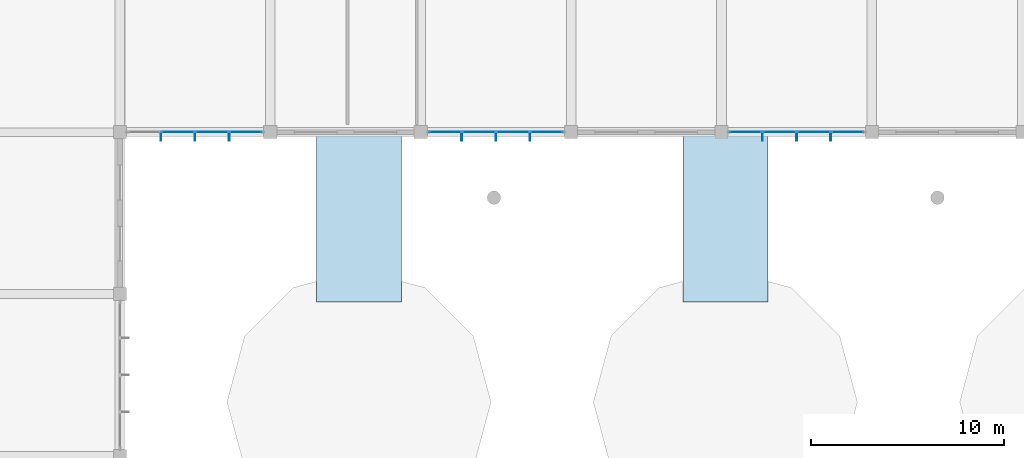
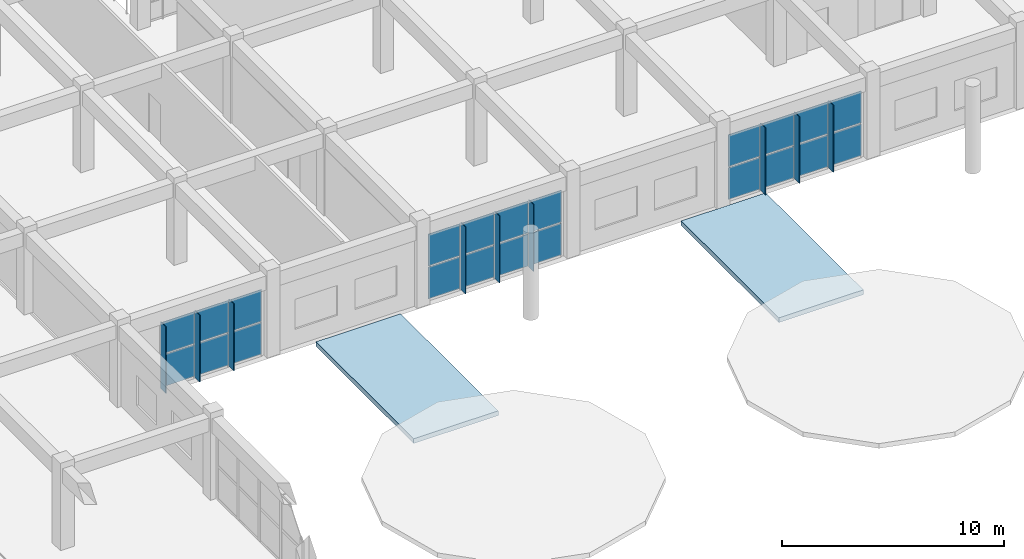
# One storey, part 148 of 175: 31 plates, 2 slabs, 3 elements without a shape of their own.
"""IFC4 building model written with IfcOpenShell, lengths in metres."""

from ifc_helpers import new_model, si_unit, direction, frame, origin, origin_2d, place, context, subcontext, project, spatial, polyline, rectangle, outline, extrude, material, layer, layer_set, type_object, element, aggregate, save


model = new_model("IFC4")

# Units and contexts
model_context = context("Model", 3, precision=1e-05, world=origin(), true_north=direction((0.0, 1.0)))
body_context = subcontext(model_context, "Body", "Model", "MODEL_VIEW")
ifc_project = project(units=[si_unit("LENGTHUNIT", "METRE"), si_unit("AREAUNIT", "SQUARE_METRE"), si_unit("VOLUMEUNIT", "CUBIC_METRE"), si_unit("PLANEANGLEUNIT", "RADIAN"), si_unit("MASSUNIT", "GRAM", prefix="KILO")], contexts=[model_context])

# Site, building, storey
site_placement = place(None, origin())
site = spatial("IfcSite", under=ifc_project, at=site_placement, CompositionType="ELEMENT")
building_placement = place(site_placement, origin())
building = spatial("IfcBuilding", under=site, at=building_placement, Name="Zizhar Promenade General Hospital", CompositionType="ELEMENT")
storey_placement = place(building_placement, frame((0.0, 0.0, 4.800048828125)))
storey = spatial("IfcBuildingStorey", under=building, at=storey_placement, Name="L01", CompositionType="ELEMENT", Elevation=4.800048828125)

# Curtain wall, plates
ifc_material_1 = material(Name="Anodised aluminium 6063-T6 and low-E glass", Category="aluminium")
ifc_layer_1 = layer(ifc_material_1, 0.159912109375)
ifc_layer_set_1 = layer_set([ifc_layer_1], Name="Anodised aluminium 6063-T6 and low-E glass")
curtain_wall_type = type_object("IfcCurtainWallType", Name="CW-CLN-EXT", PredefinedType="NOTDEFINED", material=ifc_layer_set_1)
curtain_wall_1_placement = place(storey_placement, origin())
curtain_wall_1 = element("IfcCurtainWall", 1, at=curtain_wall_1_placement, inside=storey, type_object=curtain_wall_type, Name="Outpatient Forecourt Curtain Wall L01-17", PredefinedType="NOTDEFINED")
ifc_material_2 = material(Name="Low-E solar-control glass", Category="glass")
ifc_layer_2 = layer(ifc_material_2, 0.031982421875)
ifc_layer_set_2 = layer_set([ifc_layer_2], Name="Low-E solar-control glass")
plate_type_1 = type_object("IfcPlateType", Name="CWP-GLZ-32", PredefinedType="CURTAIN_PANEL", material=ifc_layer_set_2)
plate_1_placement = place(storey_placement, frame((139.135009765625, 42.0, 0.06005859375), z_axis=(0.0, 0.0, 1.0), x_axis=(-1.0, 0.0, 0.0)))
plate_1 = element("IfcPlate", 2, at=plate_1_placement, type_object=plate_type_1, Name="CW-09 panel 1.1", PredefinedType="CURTAIN_PANEL", context=body_context, shape_type="SweptSolid", body=[
    extrude(rectangle(XDim=1.64990234375, YDim=0.031982421875, at=origin_2d()), origin(), (0.0, 0.0, 1.0), 1.75),
])
plate_2_placement = place(storey_placement, frame((139.135009765625, 42.0, 1.869873046875), z_axis=(0.0, 0.0, 1.0), x_axis=(-1.0, 0.0, 0.0)))
plate_2 = element("IfcPlate", 3, at=plate_2_placement, type_object=plate_type_1, Name="CW-09 panel 1.2", PredefinedType="CURTAIN_PANEL", context=body_context, shape_type="SweptSolid", body=[
    extrude(rectangle(XDim=1.64990234375, YDim=0.031982421875, at=origin_2d()), origin(), (0.0, 0.0, 1.0), 1.75),
])
plate_3_placement = place(storey_placement, frame((137.385009765625, 42.0, 0.06005859375), z_axis=(0.0, 0.0, 1.0), x_axis=(-1.0, 0.0, 0.0)))
plate_3 = element("IfcPlate", 4, at=plate_3_placement, type_object=plate_type_1, Name="CW-09 panel 2.1", PredefinedType="CURTAIN_PANEL", context=body_context, shape_type="SweptSolid", body=[
    extrude(rectangle(XDim=1.68994140625, YDim=0.031982421875, at=origin_2d()), origin(), (0.0, 0.0, 1.0), 1.75),
])
plate_4_placement = place(storey_placement, frame((137.385009765625, 42.0, 1.869873046875), z_axis=(0.0, 0.0, 1.0), x_axis=(-1.0, 0.0, 0.0)))
plate_4 = element("IfcPlate", 5, at=plate_4_placement, type_object=plate_type_1, Name="CW-09 panel 2.2", PredefinedType="CURTAIN_PANEL", context=body_context, shape_type="SweptSolid", body=[
    extrude(rectangle(XDim=1.68994140625, YDim=0.031982421875, at=origin_2d()), origin(), (0.0, 0.0, 1.0), 1.75),
])
plate_5_placement = place(storey_placement, frame((135.614990234375, 42.0, 0.06005859375), z_axis=(0.0, 0.0, 1.0), x_axis=(-1.0, 0.0, 0.0)))
plate_5 = element("IfcPlate", 6, at=plate_5_placement, type_object=plate_type_1, Name="CW-09 panel 3.1", PredefinedType="CURTAIN_PANEL", context=body_context, shape_type="SweptSolid", body=[
    extrude(rectangle(XDim=1.68994140625, YDim=0.031982421875, at=origin_2d()), origin(), (0.0, 0.0, 1.0), 1.75),
])
plate_6_placement = place(storey_placement, frame((135.614990234375, 42.0, 1.869873046875), z_axis=(0.0, 0.0, 1.0), x_axis=(-1.0, 0.0, 0.0)))
plate_6 = element("IfcPlate", 7, at=plate_6_placement, type_object=plate_type_1, Name="CW-09 panel 3.2", PredefinedType="CURTAIN_PANEL", context=body_context, shape_type="SweptSolid", body=[
    extrude(rectangle(XDim=1.68994140625, YDim=0.031982421875, at=origin_2d()), origin(), (0.0, 0.0, 1.0), 1.75),
])
aggregate(curtain_wall_1, [plate_1, plate_2, plate_3, plate_4, plate_5, plate_6])

curtain_wall_2_placement = place(storey_placement, origin())
curtain_wall_2 = element("IfcCurtainWall", 8, at=curtain_wall_2_placement, inside=storey, type_object=curtain_wall_type, Name="Outpatient Forecourt Curtain Wall L01-19", PredefinedType="NOTDEFINED")
plate_7_placement = place(storey_placement, frame((154.735107421875, 42.0, 0.06005859375), z_axis=(0.0, 0.0, 1.0), x_axis=(-1.0, 0.0, 0.0)))
plate_7 = element("IfcPlate", 9, at=plate_7_placement, type_object=plate_type_1, Name="CW-09 panel 1.1", PredefinedType="CURTAIN_PANEL", context=body_context, shape_type="SweptSolid", body=[
    extrude(rectangle(XDim=1.64990234375, YDim=0.031982421875, at=origin_2d()), origin(), (0.0, 0.0, 1.0), 1.75),
])
plate_8_placement = place(storey_placement, frame((154.735107421875, 42.0, 1.869873046875), z_axis=(0.0, 0.0, 1.0), x_axis=(-1.0, 0.0, 0.0)))
plate_8 = element("IfcPlate", 10, at=plate_8_placement, type_object=plate_type_1, Name="CW-09 panel 1.2", PredefinedType="CURTAIN_PANEL", context=body_context, shape_type="SweptSolid", body=[
    extrude(rectangle(XDim=1.64990234375, YDim=0.031982421875, at=origin_2d()), origin(), (0.0, 0.0, 1.0), 1.75),
])
plate_9_placement = place(storey_placement, frame((152.985107421875, 42.0, 0.06005859375), z_axis=(0.0, 0.0, 1.0), x_axis=(-1.0, 0.0, 0.0)))
plate_9 = element("IfcPlate", 11, at=plate_9_placement, type_object=plate_type_1, Name="CW-09 panel 2.1", PredefinedType="CURTAIN_PANEL", context=body_context, shape_type="SweptSolid", body=[
    extrude(rectangle(XDim=1.68994140625, YDim=0.031982421875, at=origin_2d()), origin(), (0.0, 0.0, 1.0), 1.75),
])
plate_10_placement = place(storey_placement, frame((152.985107421875, 42.0, 1.869873046875), z_axis=(0.0, 0.0, 1.0), x_axis=(-1.0, 0.0, 0.0)))
plate_10 = element("IfcPlate", 12, at=plate_10_placement, type_object=plate_type_1, Name="CW-09 panel 2.2", PredefinedType="CURTAIN_PANEL", context=body_context, shape_type="SweptSolid", body=[
    extrude(rectangle(XDim=1.68994140625, YDim=0.031982421875, at=origin_2d()), origin(), (0.0, 0.0, 1.0), 1.75),
])
plate_11_placement = place(storey_placement, frame((151.215087890625, 42.0, 0.06005859375), z_axis=(0.0, 0.0, 1.0), x_axis=(-1.0, 0.0, 0.0)))
plate_11 = element("IfcPlate", 13, at=plate_11_placement, type_object=plate_type_1, Name="CW-09 panel 3.1", PredefinedType="CURTAIN_PANEL", context=body_context, shape_type="SweptSolid", body=[
    extrude(rectangle(XDim=1.68994140625, YDim=0.031982421875, at=origin_2d()), origin(), (0.0, 0.0, 1.0), 1.75),
])
plate_12_placement = place(storey_placement, frame((151.215087890625, 42.0, 1.869873046875), z_axis=(0.0, 0.0, 1.0), x_axis=(-1.0, 0.0, 0.0)))
plate_12 = element("IfcPlate", 14, at=plate_12_placement, type_object=plate_type_1, Name="CW-09 panel 3.2", PredefinedType="CURTAIN_PANEL", context=body_context, shape_type="SweptSolid", body=[
    extrude(rectangle(XDim=1.68994140625, YDim=0.031982421875, at=origin_2d()), origin(), (0.0, 0.0, 1.0), 1.75),
])
plate_13_placement = place(storey_placement, frame((149.465087890625, 42.0, 0.06005859375), z_axis=(0.0, 0.0, 1.0), x_axis=(-1.0, 0.0, 0.0)))
plate_13 = element("IfcPlate", 15, at=plate_13_placement, type_object=plate_type_1, Name="CW-09 panel 4.1", PredefinedType="CURTAIN_PANEL", context=body_context, shape_type="SweptSolid", body=[
    extrude(rectangle(XDim=1.64990234375, YDim=0.031982421875, at=origin_2d()), origin(), (0.0, 0.0, 1.0), 1.75),
])
plate_14_placement = place(storey_placement, frame((149.465087890625, 42.0, 1.869873046875), z_axis=(0.0, 0.0, 1.0), x_axis=(-1.0, 0.0, 0.0)))
plate_14 = element("IfcPlate", 16, at=plate_14_placement, type_object=plate_type_1, Name="CW-09 panel 4.2", PredefinedType="CURTAIN_PANEL", context=body_context, shape_type="SweptSolid", body=[
    extrude(rectangle(XDim=1.64990234375, YDim=0.031982421875, at=origin_2d()), origin(), (0.0, 0.0, 1.0), 1.75),
])
aggregate(curtain_wall_2, [plate_7, plate_8, plate_9, plate_10, plate_11, plate_12, plate_13, plate_14])

curtain_wall_3_placement = place(storey_placement, origin())
curtain_wall_3 = element("IfcCurtainWall", 17, at=curtain_wall_3_placement, inside=storey, type_object=curtain_wall_type, Name="Outpatient Forecourt Curtain Wall L01-21", PredefinedType="NOTDEFINED")
plate_15_placement = place(storey_placement, frame((170.3349609375, 42.0, 0.06005859375), z_axis=(0.0, 0.0, 1.0), x_axis=(-1.0, 0.0, 0.0)))
plate_15 = element("IfcPlate", 18, at=plate_15_placement, type_object=plate_type_1, Name="CW-09 panel 1.1", PredefinedType="CURTAIN_PANEL", context=body_context, shape_type="SweptSolid", body=[
    extrude(rectangle(XDim=1.64990234375, YDim=0.031982421875, at=origin_2d()), origin(), (0.0, 0.0, 1.0), 1.75),
])
plate_16_placement = place(storey_placement, frame((170.3349609375, 42.0, 1.869873046875), z_axis=(0.0, 0.0, 1.0), x_axis=(-1.0, 0.0, 0.0)))
plate_16 = element("IfcPlate", 19, at=plate_16_placement, type_object=plate_type_1, Name="CW-09 panel 1.2", PredefinedType="CURTAIN_PANEL", context=body_context, shape_type="SweptSolid", body=[
    extrude(rectangle(XDim=1.64990234375, YDim=0.031982421875, at=origin_2d()), origin(), (0.0, 0.0, 1.0), 1.75),
])
plate_17_placement = place(storey_placement, frame((168.5849609375, 42.0, 0.06005859375), z_axis=(0.0, 0.0, 1.0), x_axis=(-1.0, 0.0, 0.0)))
plate_17 = element("IfcPlate", 20, at=plate_17_placement, type_object=plate_type_1, Name="CW-09 panel 2.1", PredefinedType="CURTAIN_PANEL", context=body_context, shape_type="SweptSolid", body=[
    extrude(rectangle(XDim=1.68994140625, YDim=0.031982421875, at=origin_2d()), origin(), (0.0, 0.0, 1.0), 1.75),
])
plate_18_placement = place(storey_placement, frame((168.5849609375, 42.0, 1.869873046875), z_axis=(0.0, 0.0, 1.0), x_axis=(-1.0, 0.0, 0.0)))
plate_18 = element("IfcPlate", 21, at=plate_18_placement, type_object=plate_type_1, Name="CW-09 panel 2.2", PredefinedType="CURTAIN_PANEL", context=body_context, shape_type="SweptSolid", body=[
    extrude(rectangle(XDim=1.68994140625, YDim=0.031982421875, at=origin_2d()), origin(), (0.0, 0.0, 1.0), 1.75),
])
plate_19_placement = place(storey_placement, frame((166.81494140625, 42.0, 0.06005859375), z_axis=(0.0, 0.0, 1.0), x_axis=(-1.0, 0.0, 0.0)))
plate_19 = element("IfcPlate", 22, at=plate_19_placement, type_object=plate_type_1, Name="CW-09 panel 3.1", PredefinedType="CURTAIN_PANEL", context=body_context, shape_type="SweptSolid", body=[
    extrude(rectangle(XDim=1.68994140625, YDim=0.031982421875, at=origin_2d()), origin(), (0.0, 0.0, 1.0), 1.75),
])
plate_20_placement = place(storey_placement, frame((166.81494140625, 42.0, 1.869873046875), z_axis=(0.0, 0.0, 1.0), x_axis=(-1.0, 0.0, 0.0)))
plate_20 = element("IfcPlate", 23, at=plate_20_placement, type_object=plate_type_1, Name="CW-09 panel 3.2", PredefinedType="CURTAIN_PANEL", context=body_context, shape_type="SweptSolid", body=[
    extrude(rectangle(XDim=1.68994140625, YDim=0.031982421875, at=origin_2d()), origin(), (0.0, 0.0, 1.0), 1.75),
])
plate_21_placement = place(storey_placement, frame((165.06494140625, 42.0, 0.06005859375), z_axis=(0.0, 0.0, 1.0), x_axis=(-1.0, 0.0, 0.0)))
plate_21 = element("IfcPlate", 24, at=plate_21_placement, type_object=plate_type_1, Name="CW-09 panel 4.1", PredefinedType="CURTAIN_PANEL", context=body_context, shape_type="SweptSolid", body=[
    extrude(rectangle(XDim=1.64990234375, YDim=0.031982421875, at=origin_2d()), origin(), (0.0, 0.0, 1.0), 1.75),
])
plate_22_placement = place(storey_placement, frame((165.06494140625, 42.0, 1.869873046875), z_axis=(0.0, 0.0, 1.0), x_axis=(-1.0, 0.0, 0.0)))
plate_22 = element("IfcPlate", 25, at=plate_22_placement, type_object=plate_type_1, Name="CW-09 panel 4.2", PredefinedType="CURTAIN_PANEL", context=body_context, shape_type="SweptSolid", body=[
    extrude(rectangle(XDim=1.64990234375, YDim=0.031982421875, at=origin_2d()), origin(), (0.0, 0.0, 1.0), 1.75),
])
aggregate(curtain_wall_3, [plate_15, plate_16, plate_17, plate_18, plate_19, plate_20, plate_21, plate_22])

# Plates
ifc_material_3 = material(Name="Anodised aluminium 6063-T6", Category="aluminium")
ifc_layer_3 = layer(ifc_material_3, 0.0400390625)
ifc_layer_set_3 = layer_set([ifc_layer_3], Name="Anodised aluminium 6063-T6")
plate_type_2 = type_object("IfcPlateType", Name="FIN-ALU-450", PredefinedType="USERDEFINED", material=ifc_layer_set_3)
plate_23_placement = place(storey_placement, origin())
element("IfcPlate", 26, at=plate_23_placement, inside=storey, type_object=plate_type_2, Name="Outpatient Forecourt Curtain Wall L01-17 Solar Fin 1", ObjectType="SOLAR_SHADE", PredefinedType="USERDEFINED", context=body_context, shape_type="SweptSolid", body=[
    extrude(outline(polyline([(138.2900390625, 42.0), (138.25, 42.0), (138.25, 41.550048828125), (138.2900390625, 41.550048828125), (138.2900390625, 42.0)])), origin(), (0.0, 0.0, 1.0), 3.679931640625),
])
plate_24_placement = place(storey_placement, origin())
element("IfcPlate", 27, at=plate_24_placement, inside=storey, type_object=plate_type_2, Name="Outpatient Forecourt Curtain Wall L01-17 Solar Fin 2", ObjectType="SOLAR_SHADE", PredefinedType="USERDEFINED", context=body_context, shape_type="SweptSolid", body=[
    extrude(outline(polyline([(136.52001953125, 42.0), (136.47998046875, 42.0), (136.47998046875, 41.550048828125), (136.52001953125, 41.550048828125), (136.52001953125, 42.0)])), origin(), (0.0, 0.0, 1.0), 3.679931640625),
])
plate_25_placement = place(storey_placement, origin())
element("IfcPlate", 28, at=plate_25_placement, inside=storey, type_object=plate_type_2, Name="Outpatient Forecourt Curtain Wall L01-17 Solar Fin 3", ObjectType="SOLAR_SHADE", PredefinedType="USERDEFINED", context=body_context, shape_type="SweptSolid", body=[
    extrude(outline(polyline([(134.75, 42.0), (134.7099609375, 42.0), (134.7099609375, 41.550048828125), (134.75, 41.550048828125), (134.75, 42.0)])), origin(), (0.0, 0.0, 1.0), 3.679931640625),
])
plate_26_placement = place(storey_placement, origin())
element("IfcPlate", 29, at=plate_26_placement, inside=storey, type_object=plate_type_2, Name="Outpatient Forecourt Curtain Wall L01-19 Solar Fin 1", ObjectType="SOLAR_SHADE", PredefinedType="USERDEFINED", context=body_context, shape_type="SweptSolid", body=[
    extrude(outline(polyline([(153.889892578125, 42.0), (153.85009765625, 42.0), (153.85009765625, 41.550048828125), (153.889892578125, 41.550048828125), (153.889892578125, 42.0)])), origin(), (0.0, 0.0, 1.0), 3.679931640625),
])
plate_27_placement = place(storey_placement, origin())
element("IfcPlate", 30, at=plate_27_placement, inside=storey, type_object=plate_type_2, Name="Outpatient Forecourt Curtain Wall L01-19 Solar Fin 2", ObjectType="SOLAR_SHADE", PredefinedType="USERDEFINED", context=body_context, shape_type="SweptSolid", body=[
    extrude(outline(polyline([(152.1201171875, 42.0), (152.080078125, 42.0), (152.080078125, 41.550048828125), (152.1201171875, 41.550048828125), (152.1201171875, 42.0)])), origin(), (0.0, 0.0, 1.0), 3.679931640625),
])
plate_28_placement = place(storey_placement, origin())
element("IfcPlate", 31, at=plate_28_placement, inside=storey, type_object=plate_type_2, Name="Outpatient Forecourt Curtain Wall L01-19 Solar Fin 3", ObjectType="SOLAR_SHADE", PredefinedType="USERDEFINED", context=body_context, shape_type="SweptSolid", body=[
    extrude(outline(polyline([(150.35009765625, 42.0), (150.31005859375, 42.0), (150.31005859375, 41.550048828125), (150.35009765625, 41.550048828125), (150.35009765625, 42.0)])), origin(), (0.0, 0.0, 1.0), 3.679931640625),
])
plate_29_placement = place(storey_placement, origin())
element("IfcPlate", 32, at=plate_29_placement, inside=storey, type_object=plate_type_2, Name="Outpatient Forecourt Curtain Wall L01-21 Solar Fin 1", ObjectType="SOLAR_SHADE", PredefinedType="USERDEFINED", context=body_context, shape_type="SweptSolid", body=[
    extrude(outline(polyline([(169.489990234375, 42.0), (169.449951171875, 42.0), (169.449951171875, 41.550048828125), (169.489990234375, 41.550048828125), (169.489990234375, 42.0)])), origin(), (0.0, 0.0, 1.0), 3.679931640625),
])
plate_30_placement = place(storey_placement, origin())
element("IfcPlate", 33, at=plate_30_placement, inside=storey, type_object=plate_type_2, Name="Outpatient Forecourt Curtain Wall L01-21 Solar Fin 2", ObjectType="SOLAR_SHADE", PredefinedType="USERDEFINED", context=body_context, shape_type="SweptSolid", body=[
    extrude(outline(polyline([(167.719970703125, 42.0), (167.679931640625, 42.0), (167.679931640625, 41.550048828125), (167.719970703125, 41.550048828125), (167.719970703125, 42.0)])), origin(), (0.0, 0.0, 1.0), 3.679931640625),
])
plate_31_placement = place(storey_placement, origin())
element("IfcPlate", 34, at=plate_31_placement, inside=storey, type_object=plate_type_2, Name="Outpatient Forecourt Curtain Wall L01-21 Solar Fin 3", ObjectType="SOLAR_SHADE", PredefinedType="USERDEFINED", context=body_context, shape_type="SweptSolid", body=[
    extrude(outline(polyline([(165.949951171875, 42.0), (165.909912109375, 42.0), (165.909912109375, 41.550048828125), (165.949951171875, 41.550048828125), (165.949951171875, 42.0)])), origin(), (0.0, 0.0, 1.0), 3.679931640625),
])

# Slabs
ifc_material_4 = material(Name="Concrete C35/45", Category="concrete")
ifc_layer_4 = layer(ifc_material_4, 0.260009765625)
ifc_layer_set_4 = layer_set([ifc_layer_4], Name="Concrete C35/45")
slab_type = type_object("IfcSlabType", Name="SLB-ROOF-260", PredefinedType="ROOF", material=ifc_layer_set_4)
slab_1_placement = place(storey_placement, frame((0.0, 0.0, -0.52001953125)))
element("IfcSlab", 35, at=slab_1_placement, inside=storey, type_object=slab_type, Name="Outpatient Welcome Pavilion Covered Link Canopy Slab", PredefinedType="ROOF", context=body_context, shape_type="SweptSolid", body=[
    extrude(outline(polyline([(142.800048828125, 33.199951171875), (147.199951171875, 33.199951171875), (147.199951171875, 42.0), (142.800048828125, 42.0), (142.800048828125, 33.199951171875)])), origin(), (0.0, 0.0, 1.0), 0.260009765625),
])
slab_2_placement = place(storey_placement, frame((0.0, 0.0, -0.52001953125)))
element("IfcSlab", 36, at=slab_2_placement, inside=storey, type_object=slab_type, Name="Pharmacy Collection Pavilion Covered Link Canopy Slab", PredefinedType="ROOF", context=body_context, shape_type="SweptSolid", body=[
    extrude(outline(polyline([(161.800048828125, 33.199951171875), (166.199951171875, 33.199951171875), (166.199951171875, 42.0), (161.800048828125, 42.0), (161.800048828125, 33.199951171875)])), origin(), (0.0, 0.0, 1.0), 0.260009765625),
])

save(model, "model.ifc")
